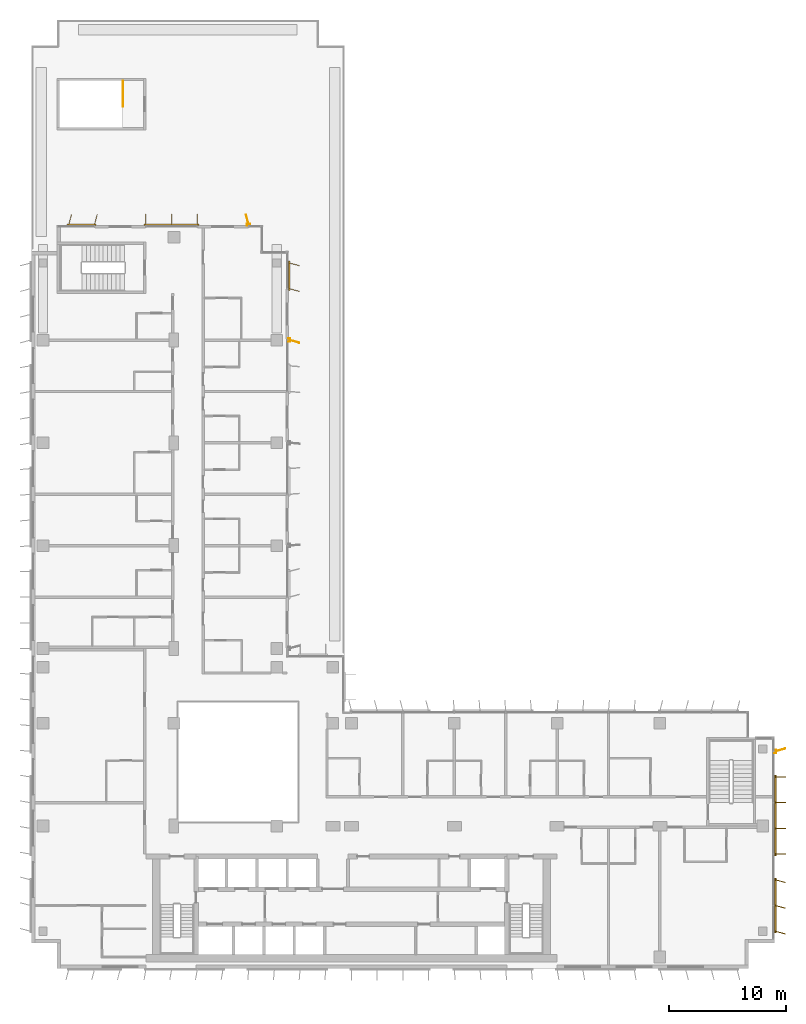
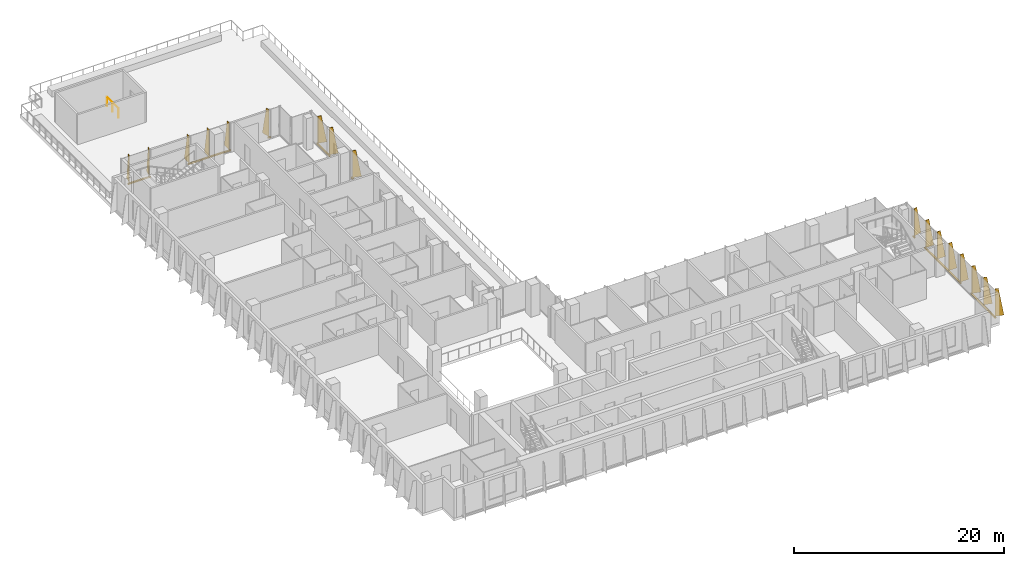
# One storey, part 22 of 22: 8 shading devices, 1 railing.
"""IFC4 building model written with IfcOpenShell, lengths in metres."""

from ifc_helpers import new_model, si_unit, direction, frame, origin, origin_2d, place, context, subcontext, project, spatial, polyline, rectangle, circle, outline, extrude, source, transform, mapped, material, layer, layer_set, type_object, element, save


model = new_model("IFC4")

# Units and contexts
model_context = context("Model", 3, precision=1e-05, world=origin(), true_north=direction((0.0, 1.0)))
body_context = subcontext(model_context, "Body", "Model", "MODEL_VIEW")
ifc_project = project(units=[si_unit("LENGTHUNIT", "METRE"), si_unit("AREAUNIT", "SQUARE_METRE"), si_unit("VOLUMEUNIT", "CUBIC_METRE"), si_unit("PLANEANGLEUNIT", "RADIAN"), si_unit("MASSUNIT", "GRAM", prefix="KILO")], contexts=[model_context])

# Site, building, storey
site_placement = place(None, origin())
site = spatial("IfcSite", under=ifc_project, at=site_placement, CompositionType="ELEMENT")
building_placement = place(site_placement, origin())
building = spatial("IfcBuilding", under=site, at=building_placement, Name="Kemantara Hotel Tower", CompositionType="ELEMENT")
storey_placement = place(building_placement, frame((0.0, 0.0, 153.10009765625)))
storey = spatial("IfcBuildingStorey", under=building, at=storey_placement, Name="L37", CompositionType="ELEMENT", Elevation=153.10009765625)

# Railing
ifc_material_1 = material(Name="Stainless steel balustrade", Category="steel")
railing_type = type_object("IfcRailingType", Name="Stair guard 1100 mm", PredefinedType="GUARDRAIL", material=ifc_material_1)
railing_placement = place(storey_placement, frame((7.85009765625, 76.0, 0.0)))
element("IfcRailing", 1, at=railing_placement, inside=storey, type_object=railing_type, Name="L37 ST6 top well guard 1", PredefinedType="GUARDRAIL", context=body_context, shape_type="SweptSolid", body=[
    extrude(circle(Radius=0.02392578125, at=origin_2d()), frame((0.0, 0.0, 1.076171875), z_axis=(0.0, -1.0, 0.0), x_axis=(1.0, 0.0, 0.0)), (0.0, 0.0, 1.0), 2.199951171875),
    extrude(circle(Radius=0.02099609375, at=origin_2d()), origin(), (0.0, 0.0, 1.0), 1.052001953125),
    extrude(circle(Radius=0.02099609375, at=origin_2d()), frame((0.0, -1.10009765625, 0.0)), (0.0, 0.0, 1.0), 1.052001953125),
    extrude(circle(Radius=0.02099609375, at=origin_2d()), frame((0.0, -2.199951171875, 0.0)), (0.0, 0.0, 1.0), 1.052001953125),
])

# Shading devices
ifc_material_2 = material(Name="Perforated aluminium plate 4 mm bronze anodised", Category="aluminium")
ifc_layer_1 = layer(ifc_material_2, 0.0400390625)
ifc_layer_set_1 = layer_set([ifc_layer_1], Name="Perforated aluminium plate 4 mm bronze anodised")
shading_device_type_1 = type_object("IfcShadingDeviceType", Name="SCREEN FIN CASSETTE, 3 BLADES AT -15.0 DEG, 3200 HIGH", PredefinedType="USERDEFINED", material=ifc_layer_set_1)
shared_shape_1 = source(origin(), body_context, "Body", "SweptSolid", [
    extrude(rectangle(XDim=4.699951171875, YDim=0.14990234375, at=origin_2d()), frame((2.199951171875, -0.074951171875, -0.14990234375), z_axis=(0.0, 0.0, 1.0), x_axis=(1.0, 0.0, 0.0)), (0.0, 0.0, 1.0), 0.14990234375),
    extrude(outline(polyline([(0.0, 0.0), (0.89990234375, 0.0), (0.35009765625, 3.199951171875), (0.0, 3.199951171875), (0.0, 0.0)])), frame((0.019287109375, -0.080078125, 0.0), z_axis=(-0.966437683387, 0.256901156343, 0.0), x_axis=(-0.256901156343, -0.966437683387, 0.0)), (0.0, 0.0, 1.0), 0.039794921875),
    extrude(outline(polyline([(0.0, 0.0), (0.89990234375, 0.0), (0.35009765625, 3.199951171875), (0.0, 3.199951171875), (0.0, 0.0)])), frame((2.21923828125, -0.080078125, 0.0), z_axis=(-0.966437683387, 0.256901156343, 0.0), x_axis=(-0.256901156343, -0.966437683387, 0.0)), (0.0, 0.0, 1.0), 0.039794921875),
    extrude(outline(polyline([(0.0, 0.0), (0.89990234375, 0.0), (0.35009765625, 3.199951171875), (0.0, 3.199951171875), (0.0, 0.0)])), frame((4.41943359375, -0.080078125, 0.0), z_axis=(-0.966837822169, 0.255391122837, 0.0), x_axis=(-0.255391122837, -0.966837822169, 0.0)), (0.0, 0.0, 1.0), 0.0400390625),
])
shading_device_1_placement = place(storey_placement, frame((63.60009765625, 3.199951171875, 0.099853515625), z_axis=(0.0, 0.0, 1.0), x_axis=(0.0, 1.0, 0.0)))
element("IfcShadingDevice", 2, at=shading_device_1_placement, inside=storey, type_object=shading_device_type_1, Name="SCREEN FIN CASSETTE L37 T3-R11-1", ObjectType="SCREEN FIN", PredefinedType="USERDEFINED", context=body_context, shape_type="MappedRepresentation", body=[
    mapped(shared_shape_1, transform((0.0, 0.0, 0.0))),
])
ifc_layer_2 = layer(ifc_material_2, 0.0400390625)
ifc_layer_set_2 = layer_set([ifc_layer_2], Name="Perforated aluminium plate 4 mm bronze anodised")
shading_device_type_2 = type_object("IfcShadingDeviceType", Name="SCREEN FIN CASSETTE, 4 BLADES AT +0.0 DEG, 3200 HIGH", PredefinedType="USERDEFINED", material=ifc_layer_set_2)
shared_shape_2 = source(origin(), body_context, "Body", "SweptSolid", [
    extrude(rectangle(XDim=6.89990234375, YDim=0.14990234375, at=origin_2d()), frame((3.300048828125, -0.074951171875, -0.14990234375), z_axis=(0.0, 0.0, 1.0), x_axis=(1.0, 0.0, 0.0)), (0.0, 0.0, 1.0), 0.14990234375),
    extrude(outline(polyline([(0.0, 0.0), (0.89990234375, 0.0), (0.35009765625, 3.199951171875), (0.0, 3.199951171875), (0.0, 0.0)])), frame((0.02001953125, -0.074951171875, 0.0), z_axis=(-1.0, 0.0, 0.0), x_axis=(0.0, -1.0, 0.0)), (0.0, 0.0, 1.0), 0.0400390625),
    extrude(outline(polyline([(0.0, 0.0), (0.89990234375, 0.0), (0.35009765625, 3.199951171875), (0.0, 3.199951171875), (0.0, 0.0)])), frame((2.219970703125, -0.074951171875, 0.0), z_axis=(-1.0, 0.0, 0.0), x_axis=(0.0, -1.0, 0.0)), (0.0, 0.0, 1.0), 0.0400390625),
    extrude(outline(polyline([(0.0, 0.0), (0.89990234375, 0.0), (0.35009765625, 3.199951171875), (0.0, 3.199951171875), (0.0, 0.0)])), frame((4.419921875, -0.074951171875, 0.0), z_axis=(-1.0, 0.0, 0.0), x_axis=(0.0, -1.0, 0.0)), (0.0, 0.0, 1.0), 0.0400390625),
    extrude(outline(polyline([(0.0, 0.0), (0.89990234375, 0.0), (0.35009765625, 3.199951171875), (0.0, 3.199951171875), (0.0, 0.0)])), frame((6.6201171875, -0.074951171875, 0.0), z_axis=(-1.0, 0.0, 0.0), x_axis=(0.0, -1.0, 0.0)), (0.0, 0.0, 1.0), 0.0400390625),
])
shading_device_2_placement = place(storey_placement, frame((63.60009765625, 9.800048828125, 0.099853515625), z_axis=(0.0, 0.0, 1.0), x_axis=(0.0, 1.0, 0.0)))
element("IfcShadingDevice", 3, at=shading_device_2_placement, inside=storey, type_object=shading_device_type_2, Name="SCREEN FIN CASSETTE L37 T3-R11-2", ObjectType="SCREEN FIN", PredefinedType="USERDEFINED", context=body_context, shape_type="MappedRepresentation", body=[
    mapped(shared_shape_2, transform((0.0, 0.0, 0.0))),
])
ifc_layer_3 = layer(ifc_material_2, 0.0400390625)
ifc_layer_set_3 = layer_set([ifc_layer_3], Name="Perforated aluminium plate 4 mm bronze anodised")
shading_device_type_3 = type_object("IfcShadingDeviceType", Name="SCREEN FIN CASSETTE, 1 BLADE AT +15.0 DEG, 3150 HIGH", PredefinedType="USERDEFINED", material=ifc_layer_set_3)
shared_shape_3 = source(origin(), body_context, "Body", "SweptSolid", [
    extrude(rectangle(XDim=0.300048828125, YDim=0.14990234375, at=origin_2d()), frame((0.0, -0.074951171875, -0.14990234375), z_axis=(0.0, 0.0, 1.0), x_axis=(1.0, 0.0, 0.0)), (0.0, 0.0, 1.0), 0.14990234375),
    extrude(outline(polyline([(0.0, 0.0), (0.89990234375, 0.0), (0.35009765625, 3.14990234375), (0.0, 3.14990234375), (0.0, 0.0)])), frame((0.019287109375, -0.06982421875, 0.0), z_axis=(-0.966437683387, -0.256901156343, 0.0), x_axis=(0.256901156343, -0.966437683387, 0.0)), (0.0, 0.0, 1.0), 0.039794921875),
])
shading_device_3_placement = place(storey_placement, frame((18.60009765625, 63.60009765625, 0.14990234375), z_axis=(0.0, 0.0, 1.0), x_axis=(-1.0, 0.0, 0.0)))
element("IfcShadingDevice", 4, at=shading_device_3_placement, inside=storey, type_object=shading_device_type_3, Name="SCREEN FIN CASSETTE L37 T3-R02-1", ObjectType="SCREEN FIN", PredefinedType="USERDEFINED", context=body_context, shape_type="MappedRepresentation", body=[
    mapped(shared_shape_3, transform((0.0, 0.0, 0.0))),
])
ifc_layer_4 = layer(ifc_material_2, 0.0400390625)
ifc_layer_set_4 = layer_set([ifc_layer_4], Name="Perforated aluminium plate 4 mm bronze anodised")
shading_device_type_4 = type_object("IfcShadingDeviceType", Name="SCREEN FIN CASSETTE, 2 BLADES AT -15.0 DEG, 3150 HIGH", PredefinedType="USERDEFINED", material=ifc_layer_set_4)
shared_shape_4 = source(origin(), body_context, "Body", "SweptSolid", [
    extrude(rectangle(XDim=2.5, YDim=0.14990234375, at=origin_2d()), frame((1.10009765625, -0.074951171875, -0.14990234375), z_axis=(0.0, 0.0, 1.0), x_axis=(1.0, 0.0, 0.0)), (0.0, 0.0, 1.0), 0.14990234375),
    extrude(outline(polyline([(0.0, 0.0), (0.89990234375, 0.0), (0.35009765625, 3.14990234375), (0.0, 3.14990234375), (0.0, 0.0)])), frame((0.019287109375, -0.080078125, 0.0), z_axis=(-0.966437683387, 0.256901156343, 0.0), x_axis=(-0.256901156343, -0.966437683387, 0.0)), (0.0, 0.0, 1.0), 0.039794921875),
    extrude(outline(polyline([(0.0, 0.0), (0.89990234375, 0.0), (0.35009765625, 3.14990234375), (0.0, 3.14990234375), (0.0, 0.0)])), frame((2.21923828125, -0.080078125, 0.0), z_axis=(-0.966437683387, 0.256901156343, 0.0), x_axis=(-0.256901156343, -0.966437683387, 0.0)), (0.0, 0.0, 1.0), 0.039794921875),
])
for number, where, z_axis, x_axis, name in (
    (5, (5.39990234375, 63.60009765625, 0.14990234375), (0.0, 0.0, 1.0), (-1.0, 0.0, 0.0), "SCREEN FIN CASSETTE L37 T3-R02-3"),
    (6, (22.0, 58.199951171875, 0.14990234375), (0.0, 0.0, 1.0), (0.0, 1.0, 0.0), "SCREEN FIN CASSETTE L37 T3-R17-8"),
):
    element("IfcShadingDevice", number, at=place(storey_placement, frame(where, z_axis=z_axis, x_axis=x_axis)), inside=storey, type_object=shading_device_type_4, Name=name, ObjectType="SCREEN FIN", PredefinedType="USERDEFINED", context=body_context, shape_type="MappedRepresentation", body=[
        mapped(shared_shape_4, transform((0.0, 0.0, 0.0))),
    ])
ifc_layer_5 = layer(ifc_material_2, 0.0400390625)
ifc_layer_set_5 = layer_set([ifc_layer_5], Name="Perforated aluminium plate 4 mm bronze anodised")
shading_device_type_5 = type_object("IfcShadingDeviceType", Name="SCREEN FIN CASSETTE, 3 BLADES AT +0.0 DEG, 3150 HIGH", PredefinedType="USERDEFINED", material=ifc_layer_set_5)
shared_shape_5 = source(origin(), body_context, "Body", "SweptSolid", [
    extrude(rectangle(XDim=4.699951171875, YDim=0.14990234375, at=origin_2d()), frame((2.199951171875, -0.074951171875, -0.14990234375), z_axis=(0.0, 0.0, 1.0), x_axis=(1.0, 0.0, 0.0)), (0.0, 0.0, 1.0), 0.14990234375),
    extrude(outline(polyline([(0.0, 0.0), (0.89990234375, 0.0), (0.35009765625, 3.14990234375), (0.0, 3.14990234375), (0.0, 0.0)])), frame((0.02001953125, -0.074951171875, 0.0), z_axis=(-1.0, 0.0, 0.0), x_axis=(0.0, -1.0, 0.0)), (0.0, 0.0, 1.0), 0.0400390625),
    extrude(outline(polyline([(0.0, 0.0), (0.89990234375, 0.0), (0.35009765625, 3.14990234375), (0.0, 3.14990234375), (0.0, 0.0)])), frame((2.219970703125, -0.074951171875, 0.0), z_axis=(-1.0, 0.0, 0.0), x_axis=(0.0, -1.0, 0.0)), (0.0, 0.0, 1.0), 0.0400390625),
    extrude(outline(polyline([(0.0, 0.0), (0.89990234375, 0.0), (0.35009765625, 3.14990234375), (0.0, 3.14990234375), (0.0, 0.0)])), frame((4.419921875, -0.074951171875, 0.0), z_axis=(-1.0, 0.0, 0.0), x_axis=(0.0, -1.0, 0.0)), (0.0, 0.0, 1.0), 0.0400390625),
])
shading_device_4_placement = place(storey_placement, frame((14.199951171875, 63.60009765625, 0.14990234375), z_axis=(0.0, 0.0, 1.0), x_axis=(-1.0, 0.0, 0.0)))
element("IfcShadingDevice", 7, at=shading_device_4_placement, inside=storey, type_object=shading_device_type_5, Name="SCREEN FIN CASSETTE L37 T3-R02-2", ObjectType="SCREEN FIN", PredefinedType="USERDEFINED", context=body_context, shape_type="MappedRepresentation", body=[
    mapped(shared_shape_5, transform((0.0, 0.0, 0.0))),
])
ifc_layer_6 = layer(ifc_material_2, 0.0400390625)
ifc_layer_set_6 = layer_set([ifc_layer_6], Name="Perforated aluminium plate 4 mm bronze anodised")
shading_device_type_6 = type_object("IfcShadingDeviceType", Name="SCREEN FIN CASSETTE, 1 BLADE AT -15.0 DEG, 3150 HIGH", PredefinedType="USERDEFINED", material=ifc_layer_set_6)
shared_shape_6 = source(origin(), body_context, "Body", "SweptSolid", [
    extrude(rectangle(XDim=0.300048828125, YDim=0.14990234375, at=origin_2d()), frame((0.0, -0.074951171875, -0.14990234375), z_axis=(0.0, 0.0, 1.0), x_axis=(1.0, 0.0, 0.0)), (0.0, 0.0, 1.0), 0.14990234375),
    extrude(outline(polyline([(0.0, 0.0), (0.89990234375, 0.0), (0.35009765625, 3.14990234375), (0.0, 3.14990234375), (0.0, 0.0)])), frame((0.019287109375, -0.080078125, 0.0), z_axis=(-0.966437683387, 0.256901156343, 0.0), x_axis=(-0.256901156343, -0.966437683387, 0.0)), (0.0, 0.0, 1.0), 0.039794921875),
])
shading_device_5_placement = place(storey_placement, frame((22.0, 53.800048828125, 0.14990234375), z_axis=(0.0, 0.0, 1.0), x_axis=(0.0, 1.0, 0.0)))
element("IfcShadingDevice", 8, at=shading_device_5_placement, inside=storey, type_object=shading_device_type_6, Name="SCREEN FIN CASSETTE L37 T3-R17-7", ObjectType="SCREEN FIN", PredefinedType="USERDEFINED", context=body_context, shape_type="MappedRepresentation", body=[
    mapped(shared_shape_6, transform((0.0, 0.0, 0.0))),
])
ifc_layer_7 = layer(ifc_material_2, 0.0400390625)
ifc_layer_set_7 = layer_set([ifc_layer_7], Name="Perforated aluminium plate 4 mm bronze anodised")
shading_device_type_7 = type_object("IfcShadingDeviceType", Name="SCREEN FIN CASSETTE, 1 BLADE AT +15.0 DEG, 3200 HIGH", PredefinedType="USERDEFINED", material=ifc_layer_set_7)
shared_shape_7 = source(origin(), body_context, "Body", "SweptSolid", [
    extrude(rectangle(XDim=0.300048828125, YDim=0.14990234375, at=origin_2d()), frame((0.0, -0.074951171875, -0.14990234375), z_axis=(0.0, 0.0, 1.0), x_axis=(1.0, 0.0, 0.0)), (0.0, 0.0, 1.0), 0.14990234375),
    extrude(outline(polyline([(0.0, 0.0), (0.89990234375, 0.0), (0.35009765625, 3.199951171875), (0.0, 3.199951171875), (0.0, 0.0)])), frame((0.019287109375, -0.06982421875, 0.0), z_axis=(-0.966437683387, -0.256901156343, 0.0), x_axis=(0.256901156343, -0.966437683387, 0.0)), (0.0, 0.0, 1.0), 0.039794921875),
])
shading_device_6_placement = place(storey_placement, frame((63.60009765625, 18.60009765625, 0.099853515625), z_axis=(0.0, 0.0, 1.0), x_axis=(0.0, 1.0, 0.0)))
element("IfcShadingDevice", 9, at=shading_device_6_placement, inside=storey, type_object=shading_device_type_7, Name="SCREEN FIN CASSETTE L37 T3-R11-3", ObjectType="SCREEN FIN", PredefinedType="USERDEFINED", context=body_context, shape_type="MappedRepresentation", body=[
    mapped(shared_shape_7, transform((0.0, 0.0, 0.0))),
])

save(model, "model.ifc")
